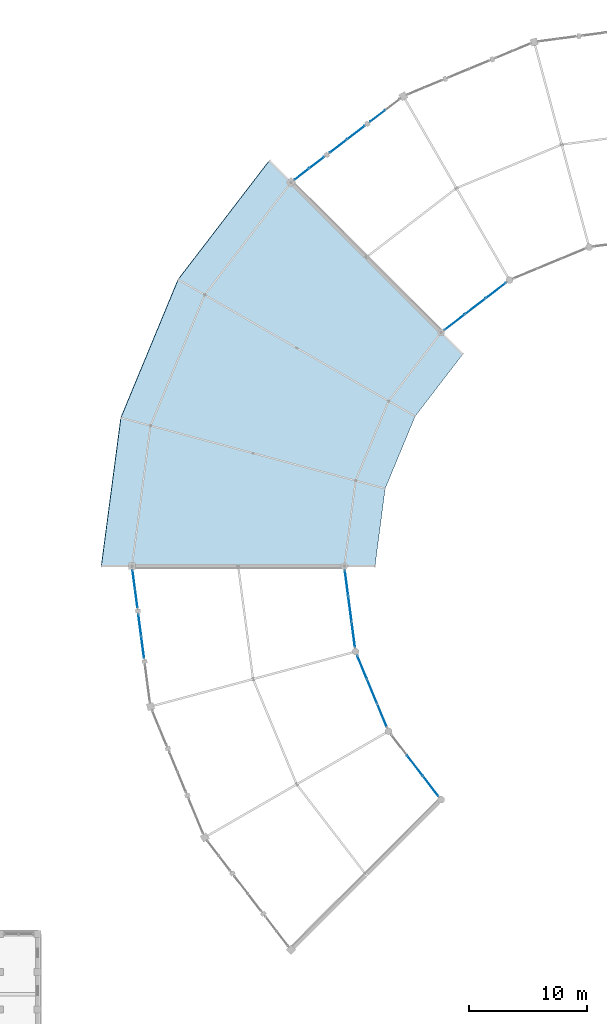
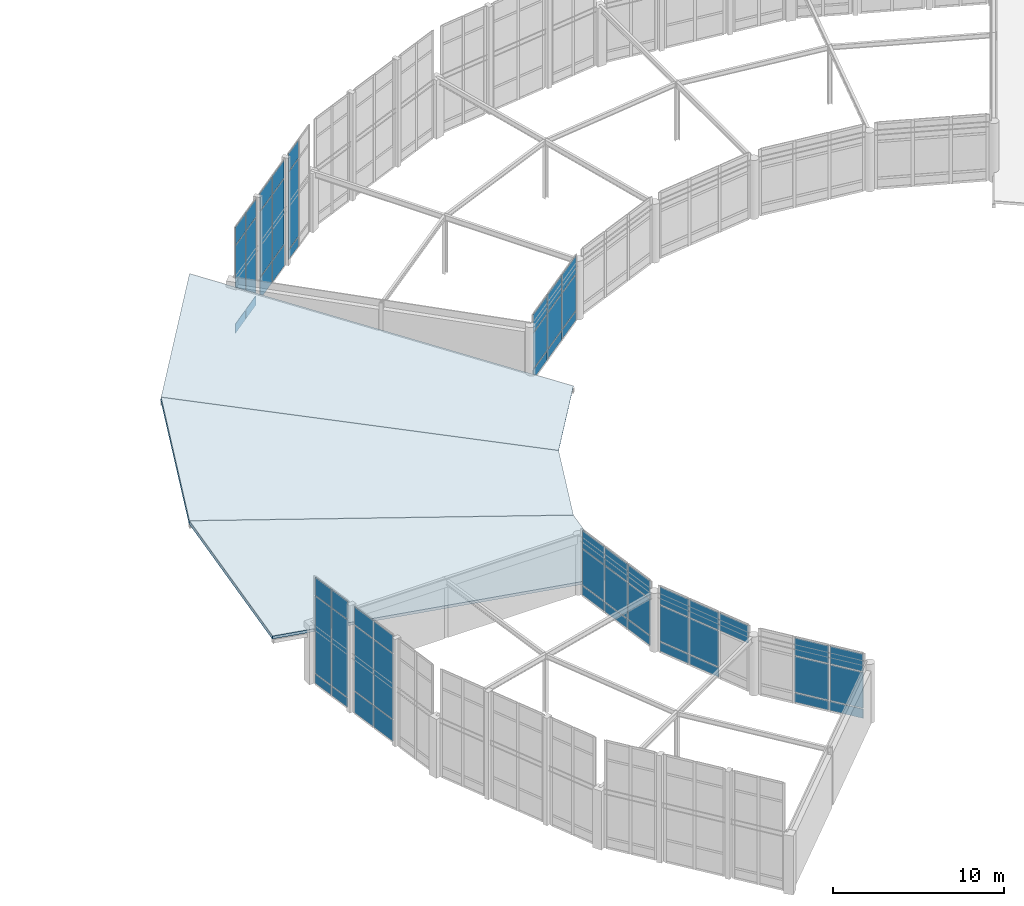
# One storey, part 69 of 93: 58 plates, 3 slabs, 9 elements without a shape of their own.
"""IFC4 building model written with IfcOpenShell, lengths in metres."""

from ifc_helpers import new_model, si_unit, direction, frame, origin, origin_2d, place, context, subcontext, project, spatial, polyline, rectangle, outline, extrude, material, layer, layer_set, type_object, element, aggregate, save


model = new_model("IFC4")

# Units and contexts
model_context = context("Model", 3, precision=1e-05, world=origin(), true_north=direction((0.0, 1.0)))
body_context = subcontext(model_context, "Body", "Model", "MODEL_VIEW")
ifc_project = project(units=[si_unit("LENGTHUNIT", "METRE"), si_unit("AREAUNIT", "SQUARE_METRE"), si_unit("VOLUMEUNIT", "CUBIC_METRE"), si_unit("PLANEANGLEUNIT", "RADIAN"), si_unit("MASSUNIT", "GRAM", prefix="KILO")], contexts=[model_context])

# Site, building, storey
site_placement = place(None, origin())
site = spatial("IfcSite", under=ifc_project, at=site_placement, CompositionType="ELEMENT")
building_placement = place(site_placement, origin())
building = spatial("IfcBuilding", under=site, at=building_placement, Name="Vondelvale Polytechnic", CompositionType="ELEMENT")
storey_placement = place(building_placement, frame((0.0, 0.0, 18.0)))
storey = spatial("IfcBuildingStorey", under=building, at=storey_placement, Name="L04", CompositionType="ELEMENT", Elevation=18.0)

# Curtain wall, plates
ifc_material_1 = material(Name="Anodised extruded aluminium 6063-T6", Category="aluminium")
curtain_wall_type_1 = type_object("IfcCurtainWallType", Name="CW-RING-CLOISTER", PredefinedType="NOTDEFINED", material=ifc_material_1)
curtain_wall_1_placement = place(storey_placement, origin())
curtain_wall_1 = element("IfcCurtainWall", 1, at=curtain_wall_1_placement, inside=storey, type_object=curtain_wall_type_1, Name="L04 architectural curtain wall CW-03-206", PredefinedType="NOTDEFINED")
ifc_material_2 = material(Name="Double-glazed low-E insulated architectural glass", Category="glass")
ifc_layer_1 = layer(ifc_material_2, 0.028076171875)
ifc_layer_set_1 = layer_set([ifc_layer_1], Name="CW-PANEL-GLAZED")
plate_type_1 = type_object("IfcPlateType", Name="CW-PANEL-GLAZED", PredefinedType="CURTAIN_PANEL", material=ifc_layer_set_1)
plate_1_placement = place(storey_placement, frame((86.845703125, 95.363037109375, 0.78271484375), z_axis=(0.0, 0.0, 1.0), x_axis=(-0.793363861089, -0.608747717793, 0.0)))
plate_1 = element("IfcPlate", 2, at=plate_1_placement, type_object=plate_type_1, Name="CW-03-206 panel 1.2", PredefinedType="CURTAIN_PANEL", context=body_context, shape_type="SweptSolid", body=[
    extrude(rectangle(XDim=2.1123046875, YDim=0.028076171875, at=origin_2d()), origin(), (0.0, 0.0, 1.0), 2.548095703125),
])
plate_2_placement = place(storey_placement, frame((86.845703125, 95.363037109375, 3.395751953125), z_axis=(0.0, 0.0, 1.0), x_axis=(-0.793363861089, -0.608747717793, 0.0)))
plate_2 = element("IfcPlate", 3, at=plate_2_placement, type_object=plate_type_1, Name="CW-03-206 panel 1.3", PredefinedType="CURTAIN_PANEL", context=body_context, shape_type="SweptSolid", body=[
    extrude(rectangle(XDim=2.1123046875, YDim=0.028076171875, at=origin_2d()), origin(), (0.0, 0.0, 1.0), 1.25244140625),
])
plate_3_placement = place(storey_placement, frame((85.1005859375, 94.02392578125, 0.78271484375), z_axis=(0.0, 0.0, 1.0), x_axis=(-0.793363861089, -0.608747717793, 0.0)))
plate_3 = element("IfcPlate", 4, at=plate_3_placement, type_object=plate_type_1, Name="CW-03-206 panel 2.2", PredefinedType="CURTAIN_PANEL", context=body_context, shape_type="SweptSolid", body=[
    extrude(rectangle(XDim=2.1474609375, YDim=0.028076171875, at=origin_2d()), origin(), (0.0, 0.0, 1.0), 2.548095703125),
])
plate_4_placement = place(storey_placement, frame((85.1005859375, 94.02392578125, 3.395751953125), z_axis=(0.0, 0.0, 1.0), x_axis=(-0.793363861089, -0.608747717793, 0.0)))
plate_4 = element("IfcPlate", 5, at=plate_4_placement, type_object=plate_type_1, Name="CW-03-206 panel 2.3", PredefinedType="CURTAIN_PANEL", context=body_context, shape_type="SweptSolid", body=[
    extrude(rectangle(XDim=2.1474609375, YDim=0.028076171875, at=origin_2d()), origin(), (0.0, 0.0, 1.0), 1.25244140625),
])
plate_5_placement = place(storey_placement, frame((83.355224609375, 92.6845703125, 0.78271484375), z_axis=(0.0, 0.0, 1.0), x_axis=(-0.793363861089, -0.608747717793, 0.0)))
plate_5 = element("IfcPlate", 6, at=plate_5_placement, type_object=plate_type_1, Name="CW-03-206 panel 3.2", PredefinedType="CURTAIN_PANEL", context=body_context, shape_type="SweptSolid", body=[
    extrude(rectangle(XDim=2.1123046875, YDim=0.028076171875, at=origin_2d()), origin(), (0.0, 0.0, 1.0), 2.548095703125),
])
plate_6_placement = place(storey_placement, frame((83.355224609375, 92.6845703125, 3.395751953125), z_axis=(0.0, 0.0, 1.0), x_axis=(-0.793363861089, -0.608747717793, 0.0)))
plate_6 = element("IfcPlate", 7, at=plate_6_placement, type_object=plate_type_1, Name="CW-03-206 panel 3.3", PredefinedType="CURTAIN_PANEL", context=body_context, shape_type="SweptSolid", body=[
    extrude(rectangle(XDim=2.1123046875, YDim=0.028076171875, at=origin_2d()), origin(), (0.0, 0.0, 1.0), 1.25244140625),
])

ifc_material_3 = material(Name="Glulam GL18 structural Tasmanian oak (fb = 42 MPa)", Category="wood")
curtain_wall_type_2 = type_object("IfcCurtainWallType", Name="CW-RING-OUTER", PredefinedType="NOTDEFINED", material=ifc_material_3)
curtain_wall_2_placement = place(storey_placement, origin())
curtain_wall_2 = element("IfcCurtainWall", 8, at=curtain_wall_2_placement, inside=storey, type_object=curtain_wall_type_2, Name="L04 architectural curtain wall CW-04-207", PredefinedType="NOTDEFINED")
plate_7_placement = place(storey_placement, frame((76.812255859375, 110.158447265625, 0.780029296875), z_axis=(0.0, 0.0, 1.0), x_axis=(-0.793333825656, -0.608786860133, 0.0)))
plate_7 = element("IfcPlate", 9, at=plate_7_placement, type_object=plate_type_1, Name="CW-04-207 panel 2.2", PredefinedType="CURTAIN_PANEL", context=body_context, shape_type="SweptSolid", body=[
    extrude(rectangle(XDim=1.530029296875, YDim=0.028076171875, at=origin_2d()), origin(), (0.0, 0.0, 1.0), 5.50146484375),
])
plate_8_placement = place(storey_placement, frame((76.812255859375, 110.158447265625, 6.34130859375), z_axis=(0.0, 0.0, 1.0), x_axis=(-0.793333825656, -0.608786860133, 0.0)))
plate_8 = element("IfcPlate", 10, at=plate_8_placement, type_object=plate_type_1, Name="CW-04-207 panel 2.3", PredefinedType="CURTAIN_PANEL", context=body_context, shape_type="SweptSolid", body=[
    extrude(rectangle(XDim=1.530029296875, YDim=0.028076171875, at=origin_2d()), origin(), (0.0, 0.0, 1.0), 1.260009765625),
])

curtain_wall_3_placement = place(storey_placement, origin())
curtain_wall_3 = element("IfcCurtainWall", 11, at=curtain_wall_3_placement, inside=storey, type_object=curtain_wall_type_2, Name="L04 architectural curtain wall CW-04-208", PredefinedType="NOTDEFINED")
plate_9_placement = place(storey_placement, frame((74.97998046875, 108.75244140625, 1.630126953125), z_axis=(0.0, 0.0, 1.0), x_axis=(-0.793345851043, -0.608771189063, 0.0)))
plate_9 = element("IfcPlate", 12, at=plate_9_placement, type_object=plate_type_1, Name="CW-04-208 panel 1.2", PredefinedType="CURTAIN_PANEL", context=body_context, shape_type="SweptSolid", body=[
    extrude(rectangle(XDim=1.80908203125, YDim=0.028076171875, at=origin_2d()), origin(), (0.0, 0.0, 1.0), 4.6513671875),
])
plate_10_placement = place(storey_placement, frame((74.97998046875, 108.75244140625, 6.34130859375), z_axis=(0.0, 0.0, 1.0), x_axis=(-0.793345851043, -0.608771189063, 0.0)))
plate_10 = element("IfcPlate", 13, at=plate_10_placement, type_object=plate_type_1, Name="CW-04-208 panel 1.3", PredefinedType="CURTAIN_PANEL", context=body_context, shape_type="SweptSolid", body=[
    extrude(rectangle(XDim=1.80908203125, YDim=0.028076171875, at=origin_2d()), origin(), (0.0, 0.0, 1.0), 1.260009765625),
])
plate_11_placement = place(storey_placement, frame((73.4931640625, 107.611572265625, 1.630126953125), z_axis=(0.0, 0.0, 1.0), x_axis=(-0.793345851043, -0.608771189063, 0.0)))
plate_11 = element("IfcPlate", 14, at=plate_11_placement, type_object=plate_type_1, Name="CW-04-208 panel 2.2", PredefinedType="CURTAIN_PANEL", context=body_context, shape_type="SweptSolid", body=[
    extrude(rectangle(XDim=1.80908203125, YDim=0.028076171875, at=origin_2d()), origin(), (0.0, 0.0, 1.0), 4.6513671875),
])
plate_12_placement = place(storey_placement, frame((73.4931640625, 107.611572265625, 6.34130859375), z_axis=(0.0, 0.0, 1.0), x_axis=(-0.793345851043, -0.608771189063, 0.0)))
plate_12 = element("IfcPlate", 15, at=plate_12_placement, type_object=plate_type_1, Name="CW-04-208 panel 2.3", PredefinedType="CURTAIN_PANEL", context=body_context, shape_type="SweptSolid", body=[
    extrude(rectangle(XDim=1.80908203125, YDim=0.028076171875, at=origin_2d()), origin(), (0.0, 0.0, 1.0), 1.260009765625),
])

curtain_wall_4_placement = place(storey_placement, origin())
curtain_wall_4 = element("IfcCurtainWall", 16, at=curtain_wall_4_placement, inside=storey, type_object=curtain_wall_type_2, Name="L04 architectural curtain wall CW-04-209", PredefinedType="NOTDEFINED")
plate_13_placement = place(storey_placement, frame((71.660888671875, 106.205810546875, 0.780029296875), z_axis=(0.0, 0.0, 1.0), x_axis=(-0.793333825656, -0.608786860133, 0.0)))
plate_13 = element("IfcPlate", 17, at=plate_13_placement, type_object=plate_type_1, Name="CW-04-209 panel 1.2", PredefinedType="CURTAIN_PANEL", context=body_context, shape_type="SweptSolid", body=[
    extrude(rectangle(XDim=1.530029296875, YDim=0.028076171875, at=origin_2d()), origin(), (0.0, 0.0, 1.0), 5.50146484375),
])
plate_14_placement = place(storey_placement, frame((71.660888671875, 106.205810546875, 6.34130859375), z_axis=(0.0, 0.0, 1.0), x_axis=(-0.793333825656, -0.608786860133, 0.0)))
plate_14 = element("IfcPlate", 18, at=plate_14_placement, type_object=plate_type_1, Name="CW-04-209 panel 1.3", PredefinedType="CURTAIN_PANEL", context=body_context, shape_type="SweptSolid", body=[
    extrude(rectangle(XDim=1.530029296875, YDim=0.028076171875, at=origin_2d()), origin(), (0.0, 0.0, 1.0), 1.260009765625),
])
plate_15_placement = place(storey_placement, frame((70.3955078125, 105.234619140625, 0.780029296875), z_axis=(0.0, 0.0, 1.0), x_axis=(-0.793333825656, -0.608786860133, 0.0)))
plate_15 = element("IfcPlate", 19, at=plate_15_placement, type_object=plate_type_1, Name="CW-04-209 panel 2.2", PredefinedType="CURTAIN_PANEL", context=body_context, shape_type="SweptSolid", body=[
    extrude(rectangle(XDim=1.530029296875, YDim=0.028076171875, at=origin_2d()), origin(), (0.0, 0.0, 1.0), 5.50146484375),
])
plate_16_placement = place(storey_placement, frame((70.3955078125, 105.234619140625, 6.34130859375), z_axis=(0.0, 0.0, 1.0), x_axis=(-0.793333825656, -0.608786860133, 0.0)))
plate_16 = element("IfcPlate", 20, at=plate_16_placement, type_object=plate_type_1, Name="CW-04-209 panel 2.3", PredefinedType="CURTAIN_PANEL", context=body_context, shape_type="SweptSolid", body=[
    extrude(rectangle(XDim=1.530029296875, YDim=0.028076171875, at=origin_2d()), origin(), (0.0, 0.0, 1.0), 1.260009765625),
])

curtain_wall_5_placement = place(storey_placement, origin())
curtain_wall_5 = element("IfcCurtainWall", 21, at=curtain_wall_5_placement, inside=storey, type_object=curtain_wall_type_1, Name="L04 architectural curtain wall CW-03-271", PredefinedType="NOTDEFINED")
plate_17_placement = place(storey_placement, frame((74.18994140625, 70.5576171875, 0.78271484375), z_axis=(0.0, 0.0, 1.0), x_axis=(0.130528007165, -0.99144462243, 0.0)))
plate_17 = element("IfcPlate", 22, at=plate_17_placement, type_object=plate_type_1, Name="CW-03-271 panel 1.2", PredefinedType="CURTAIN_PANEL", context=body_context, shape_type="SweptSolid", body=[
    extrude(rectangle(XDim=2.1123046875, YDim=0.028076171875, at=origin_2d()), origin(), (0.0, 0.0, 1.0), 2.548095703125),
])
plate_18_placement = place(storey_placement, frame((74.18994140625, 70.5576171875, 3.395751953125), z_axis=(0.0, 0.0, 1.0), x_axis=(0.130528007165, -0.99144462243, 0.0)))
plate_18 = element("IfcPlate", 23, at=plate_18_placement, type_object=plate_type_1, Name="CW-03-271 panel 1.3", PredefinedType="CURTAIN_PANEL", context=body_context, shape_type="SweptSolid", body=[
    extrude(rectangle(XDim=2.1123046875, YDim=0.028076171875, at=origin_2d()), origin(), (0.0, 0.0, 1.0), 1.25244140625),
])
plate_19_placement = place(storey_placement, frame((74.47705078125, 68.37646484375, 0.78271484375), z_axis=(0.0, 0.0, 1.0), x_axis=(0.130528007165, -0.99144462243, 0.0)))
plate_19 = element("IfcPlate", 24, at=plate_19_placement, type_object=plate_type_1, Name="CW-03-271 panel 2.2", PredefinedType="CURTAIN_PANEL", context=body_context, shape_type="SweptSolid", body=[
    extrude(rectangle(XDim=2.1474609375, YDim=0.028076171875, at=origin_2d()), origin(), (0.0, 0.0, 1.0), 2.548095703125),
])
plate_20_placement = place(storey_placement, frame((74.47705078125, 68.37646484375, 3.395751953125), z_axis=(0.0, 0.0, 1.0), x_axis=(0.130528007165, -0.99144462243, 0.0)))
plate_20 = element("IfcPlate", 25, at=plate_20_placement, type_object=plate_type_1, Name="CW-03-271 panel 2.3", PredefinedType="CURTAIN_PANEL", context=body_context, shape_type="SweptSolid", body=[
    extrude(rectangle(XDim=2.1474609375, YDim=0.028076171875, at=origin_2d()), origin(), (0.0, 0.0, 1.0), 1.25244140625),
])
plate_21_placement = place(storey_placement, frame((74.76416015625, 66.195556640625, 0.78271484375), z_axis=(0.0, 0.0, 1.0), x_axis=(0.130528007165, -0.99144462243, 0.0)))
plate_21 = element("IfcPlate", 26, at=plate_21_placement, type_object=plate_type_1, Name="CW-03-271 panel 3.2", PredefinedType="CURTAIN_PANEL", context=body_context, shape_type="SweptSolid", body=[
    extrude(rectangle(XDim=2.1123046875, YDim=0.028076171875, at=origin_2d()), origin(), (0.0, 0.0, 1.0), 2.548095703125),
])
plate_22_placement = place(storey_placement, frame((74.76416015625, 66.195556640625, 3.395751953125), z_axis=(0.0, 0.0, 1.0), x_axis=(0.130528007165, -0.99144462243, 0.0)))
plate_22 = element("IfcPlate", 27, at=plate_22_placement, type_object=plate_type_1, Name="CW-03-271 panel 3.3", PredefinedType="CURTAIN_PANEL", context=body_context, shape_type="SweptSolid", body=[
    extrude(rectangle(XDim=2.1123046875, YDim=0.028076171875, at=origin_2d()), origin(), (0.0, 0.0, 1.0), 1.25244140625),
])

curtain_wall_6_placement = place(storey_placement, origin())
curtain_wall_6 = element("IfcCurtainWall", 28, at=curtain_wall_6_placement, inside=storey, type_object=curtain_wall_type_2, Name="L04 architectural curtain wall CW-04-272", PredefinedType="NOTDEFINED")
plate_23_placement = place(storey_placement, frame((56.15185546875, 70.84716796875, 0.780029296875), z_axis=(0.0, 0.0, 1.0), x_axis=(0.130539547729, -0.991443102996, 0.0)))
plate_23 = element("IfcPlate", 29, at=plate_23_placement, type_object=plate_type_1, Name="CW-04-272 panel 1.2", PredefinedType="CURTAIN_PANEL", context=body_context, shape_type="SweptSolid", body=[
    extrude(rectangle(XDim=1.530029296875, YDim=0.028076171875, at=origin_2d()), origin(), (0.0, 0.0, 1.0), 5.50146484375),
])
plate_24_placement = place(storey_placement, frame((56.15185546875, 70.84716796875, 6.34130859375), z_axis=(0.0, 0.0, 1.0), x_axis=(0.130539547729, -0.991443102996, 0.0)))
plate_24 = element("IfcPlate", 30, at=plate_24_placement, type_object=plate_type_1, Name="CW-04-272 panel 1.3", PredefinedType="CURTAIN_PANEL", context=body_context, shape_type="SweptSolid", body=[
    extrude(rectangle(XDim=1.530029296875, YDim=0.028076171875, at=origin_2d()), origin(), (0.0, 0.0, 1.0), 1.260009765625),
])
plate_25_placement = place(storey_placement, frame((56.35986328125, 69.265869140625, 0.780029296875), z_axis=(0.0, 0.0, 1.0), x_axis=(0.130539547729, -0.991443102996, 0.0)))
plate_25 = element("IfcPlate", 31, at=plate_25_placement, type_object=plate_type_1, Name="CW-04-272 panel 2.2", PredefinedType="CURTAIN_PANEL", context=body_context, shape_type="SweptSolid", body=[
    extrude(rectangle(XDim=1.530029296875, YDim=0.028076171875, at=origin_2d()), origin(), (0.0, 0.0, 1.0), 5.50146484375),
])
plate_26_placement = place(storey_placement, frame((56.35986328125, 69.265869140625, 6.34130859375), z_axis=(0.0, 0.0, 1.0), x_axis=(0.130539547729, -0.991443102996, 0.0)))
plate_26 = element("IfcPlate", 32, at=plate_26_placement, type_object=plate_type_1, Name="CW-04-272 panel 2.3", PredefinedType="CURTAIN_PANEL", context=body_context, shape_type="SweptSolid", body=[
    extrude(rectangle(XDim=1.530029296875, YDim=0.028076171875, at=origin_2d()), origin(), (0.0, 0.0, 1.0), 1.260009765625),
])

curtain_wall_7_placement = place(storey_placement, origin())
curtain_wall_7 = element("IfcCurtainWall", 33, at=curtain_wall_7_placement, inside=storey, type_object=curtain_wall_type_2, Name="L04 architectural curtain wall CW-04-273", PredefinedType="NOTDEFINED")
plate_27_placement = place(storey_placement, frame((56.661376953125, 66.97607421875, 1.630126953125), z_axis=(0.0, 0.0, 1.0), x_axis=(0.130497251349, -0.991448671082, 0.0)))
plate_27 = element("IfcPlate", 34, at=plate_27_placement, type_object=plate_type_1, Name="CW-04-273 panel 1.2", PredefinedType="CURTAIN_PANEL", context=body_context, shape_type="SweptSolid", body=[
    extrude(rectangle(XDim=1.80908203125, YDim=0.028076171875, at=origin_2d()), origin(), (0.0, 0.0, 1.0), 4.6513671875),
])
plate_28_placement = place(storey_placement, frame((56.661376953125, 66.97607421875, 6.34130859375), z_axis=(0.0, 0.0, 1.0), x_axis=(0.130497251349, -0.991448671082, 0.0)))
plate_28 = element("IfcPlate", 35, at=plate_28_placement, type_object=plate_type_1, Name="CW-04-273 panel 1.3", PredefinedType="CURTAIN_PANEL", context=body_context, shape_type="SweptSolid", body=[
    extrude(rectangle(XDim=1.80908203125, YDim=0.028076171875, at=origin_2d()), origin(), (0.0, 0.0, 1.0), 1.260009765625),
])
plate_29_placement = place(storey_placement, frame((56.906005859375, 65.1181640625, 1.630126953125), z_axis=(0.0, 0.0, 1.0), x_axis=(0.130497251349, -0.991448671082, 0.0)))
plate_29 = element("IfcPlate", 36, at=plate_29_placement, type_object=plate_type_1, Name="CW-04-273 panel 2.2", PredefinedType="CURTAIN_PANEL", context=body_context, shape_type="SweptSolid", body=[
    extrude(rectangle(XDim=1.80908203125, YDim=0.028076171875, at=origin_2d()), origin(), (0.0, 0.0, 1.0), 4.6513671875),
])
plate_30_placement = place(storey_placement, frame((56.906005859375, 65.1181640625, 6.34130859375), z_axis=(0.0, 0.0, 1.0), x_axis=(0.130497251349, -0.991448671082, 0.0)))
plate_30 = element("IfcPlate", 37, at=plate_30_placement, type_object=plate_type_1, Name="CW-04-273 panel 2.3", PredefinedType="CURTAIN_PANEL", context=body_context, shape_type="SweptSolid", body=[
    extrude(rectangle(XDim=1.80908203125, YDim=0.028076171875, at=origin_2d()), origin(), (0.0, 0.0, 1.0), 1.260009765625),
])

curtain_wall_8_placement = place(storey_placement, origin())
curtain_wall_8 = element("IfcCurtainWall", 38, at=curtain_wall_8_placement, inside=storey, type_object=curtain_wall_type_1, Name="L04 architectural curtain wall CW-03-291", PredefinedType="NOTDEFINED")
plate_31_placement = place(storey_placement, frame((75.51123046875, 63.408203125, 0.78271484375), z_axis=(0.0, 0.0, 1.0), x_axis=(0.382678531697, -0.923881562419, 0.0)))
plate_31 = element("IfcPlate", 39, at=plate_31_placement, type_object=plate_type_1, Name="CW-03-291 panel 1.2", PredefinedType="CURTAIN_PANEL", context=body_context, shape_type="SweptSolid", body=[
    extrude(rectangle(XDim=2.111572265625, YDim=0.028076171875, at=origin_2d()), origin(), (0.0, 0.0, 1.0), 2.548095703125),
])
plate_32_placement = place(storey_placement, frame((75.51123046875, 63.408203125, 3.395751953125), z_axis=(0.0, 0.0, 1.0), x_axis=(0.382678531697, -0.923881562419, 0.0)))
plate_32 = element("IfcPlate", 40, at=plate_32_placement, type_object=plate_type_1, Name="CW-03-291 panel 1.3", PredefinedType="CURTAIN_PANEL", context=body_context, shape_type="SweptSolid", body=[
    extrude(rectangle(XDim=2.111572265625, YDim=0.028076171875, at=origin_2d()), origin(), (0.0, 0.0, 1.0), 1.25244140625),
])
plate_33_placement = place(storey_placement, frame((76.352783203125, 61.37646484375, 0.78271484375), z_axis=(0.0, 0.0, 1.0), x_axis=(0.382678531697, -0.923881562419, 0.0)))
plate_33 = element("IfcPlate", 41, at=plate_33_placement, type_object=plate_type_1, Name="CW-03-291 panel 2.2", PredefinedType="CURTAIN_PANEL", context=body_context, shape_type="SweptSolid", body=[
    extrude(rectangle(XDim=2.146484375, YDim=0.028076171875, at=origin_2d()), origin(), (0.0, 0.0, 1.0), 2.548095703125),
])
plate_34_placement = place(storey_placement, frame((76.352783203125, 61.37646484375, 3.395751953125), z_axis=(0.0, 0.0, 1.0), x_axis=(0.382678531697, -0.923881562419, 0.0)))
plate_34 = element("IfcPlate", 42, at=plate_34_placement, type_object=plate_type_1, Name="CW-03-291 panel 2.3", PredefinedType="CURTAIN_PANEL", context=body_context, shape_type="SweptSolid", body=[
    extrude(rectangle(XDim=2.146484375, YDim=0.028076171875, at=origin_2d()), origin(), (0.0, 0.0, 1.0), 1.25244140625),
])
plate_35_placement = place(storey_placement, frame((77.194091796875, 59.344970703125, 3.395751953125), z_axis=(0.0, 0.0, 1.0), x_axis=(0.382678531697, -0.923881562419, 0.0)))
plate_35 = element("IfcPlate", 43, at=plate_35_placement, type_object=plate_type_1, Name="CW-03-291 panel 3.3", PredefinedType="CURTAIN_PANEL", context=body_context, shape_type="SweptSolid", body=[
    extrude(rectangle(XDim=2.111572265625, YDim=0.028076171875, at=origin_2d()), origin(), (0.0, 0.0, 1.0), 1.25244140625),
])

curtain_wall_9_placement = place(storey_placement, origin())
curtain_wall_9 = element("IfcCurtainWall", 44, at=curtain_wall_9_placement, inside=storey, type_object=curtain_wall_type_1, Name="L04 architectural curtain wall CW-03-310", PredefinedType="NOTDEFINED")
plate_36_placement = place(storey_placement, frame((79.97607421875, 55.1005859375, 0.78271484375), z_axis=(0.0, 0.0, 1.0), x_axis=(0.608747717793, -0.793363861089, 0.0)))
plate_36 = element("IfcPlate", 45, at=plate_36_placement, type_object=plate_type_1, Name="CW-03-310 panel 2.2", PredefinedType="CURTAIN_PANEL", context=body_context, shape_type="SweptSolid", body=[
    extrude(rectangle(XDim=2.1474609375, YDim=0.028076171875, at=origin_2d()), origin(), (0.0, 0.0, 1.0), 2.548095703125),
])
plate_37_placement = place(storey_placement, frame((79.97607421875, 55.1005859375, 3.395751953125), z_axis=(0.0, 0.0, 1.0), x_axis=(0.608747717793, -0.793363861089, 0.0)))
plate_37 = element("IfcPlate", 46, at=plate_37_placement, type_object=plate_type_1, Name="CW-03-310 panel 2.3", PredefinedType="CURTAIN_PANEL", context=body_context, shape_type="SweptSolid", body=[
    extrude(rectangle(XDim=2.1474609375, YDim=0.028076171875, at=origin_2d()), origin(), (0.0, 0.0, 1.0), 1.25244140625),
])
plate_38_placement = place(storey_placement, frame((81.3154296875, 53.355224609375, 0.78271484375), z_axis=(0.0, 0.0, 1.0), x_axis=(0.608747717793, -0.793363861089, 0.0)))
plate_38 = element("IfcPlate", 47, at=plate_38_placement, type_object=plate_type_1, Name="CW-03-310 panel 3.2", PredefinedType="CURTAIN_PANEL", context=body_context, shape_type="SweptSolid", body=[
    extrude(rectangle(XDim=2.1123046875, YDim=0.028076171875, at=origin_2d()), origin(), (0.0, 0.0, 1.0), 2.548095703125),
])
plate_39_placement = place(storey_placement, frame((81.3154296875, 53.355224609375, 3.395751953125), z_axis=(0.0, 0.0, 1.0), x_axis=(0.608747717793, -0.793363861089, 0.0)))
plate_39 = element("IfcPlate", 48, at=plate_39_placement, type_object=plate_type_1, Name="CW-03-310 panel 3.3", PredefinedType="CURTAIN_PANEL", context=body_context, shape_type="SweptSolid", body=[
    extrude(rectangle(XDim=2.1123046875, YDim=0.028076171875, at=origin_2d()), origin(), (0.0, 0.0, 1.0), 1.25244140625),
])

# Plate
ifc_material_4 = material(Name="Engineered Tasmanian oak studio and bridge joinery")
ifc_layer_2 = layer(ifc_material_4, 0.0419921875)
ifc_layer_set_2 = layer_set([ifc_layer_2], Name="CW-PANEL-OAK")
plate_type_2 = type_object("IfcPlateType", Name="CW-PANEL-OAK", PredefinedType="CURTAIN_PANEL", material=ifc_layer_set_2)
plate_40_placement = place(storey_placement, frame((86.845703125, 95.363037109375, 0.06494140625), z_axis=(0.0, 0.0, 1.0), x_axis=(-0.793363861089, -0.608747717793, 0.0)))
plate_40 = element("IfcPlate", 49, at=plate_40_placement, type_object=plate_type_2, Name="CW-03-206 panel 1.1", PredefinedType="CURTAIN_PANEL", context=body_context, shape_type="SweptSolid", body=[
    extrude(rectangle(XDim=2.1123046875, YDim=0.0419921875, at=origin_2d()), origin(), (0.0, 0.0, 1.0), 0.652587890625),
])

plate_41_placement = place(storey_placement, frame((85.1005859375, 94.02392578125, 0.06494140625), z_axis=(0.0, 0.0, 1.0), x_axis=(-0.793363861089, -0.608747717793, 0.0)))
plate_41 = element("IfcPlate", 50, at=plate_41_placement, type_object=plate_type_2, Name="CW-03-206 panel 2.1", PredefinedType="CURTAIN_PANEL", context=body_context, shape_type="SweptSolid", body=[
    extrude(rectangle(XDim=2.1474609375, YDim=0.0419921875, at=origin_2d()), origin(), (0.0, 0.0, 1.0), 0.652587890625),
])

plate_42_placement = place(storey_placement, frame((83.355224609375, 92.6845703125, 0.06494140625), z_axis=(0.0, 0.0, 1.0), x_axis=(-0.793363861089, -0.608747717793, 0.0)))
plate_42 = element("IfcPlate", 51, at=plate_42_placement, type_object=plate_type_2, Name="CW-03-206 panel 3.1", PredefinedType="CURTAIN_PANEL", context=body_context, shape_type="SweptSolid", body=[
    extrude(rectangle(XDim=2.1123046875, YDim=0.0419921875, at=origin_2d()), origin(), (0.0, 0.0, 1.0), 0.652587890625),
])

aggregate(curtain_wall_1, [plate_40, plate_1, plate_2, plate_41, plate_3, plate_4, plate_42, plate_5, plate_6])

plate_43_placement = place(storey_placement, frame((74.97998046875, 108.75244140625, 0.06005859375), z_axis=(0.0, 0.0, 1.0), x_axis=(-0.793345851043, -0.608771189063, 0.0)))
plate_43 = element("IfcPlate", 52, at=plate_43_placement, type_object=plate_type_2, Name="CW-04-208 panel 1.1", PredefinedType="CURTAIN_PANEL", context=body_context, shape_type="SweptSolid", body=[
    extrude(rectangle(XDim=1.80908203125, YDim=0.0419921875, at=origin_2d()), origin(), (0.0, 0.0, 1.0), 1.510009765625),
])

plate_44_placement = place(storey_placement, frame((73.4931640625, 107.611572265625, 0.06005859375), z_axis=(0.0, 0.0, 1.0), x_axis=(-0.793345851043, -0.608771189063, 0.0)))
plate_44 = element("IfcPlate", 53, at=plate_44_placement, type_object=plate_type_2, Name="CW-04-208 panel 2.1", PredefinedType="CURTAIN_PANEL", context=body_context, shape_type="SweptSolid", body=[
    extrude(rectangle(XDim=1.80908203125, YDim=0.0419921875, at=origin_2d()), origin(), (0.0, 0.0, 1.0), 1.510009765625),
])

aggregate(curtain_wall_3, [plate_43, plate_9, plate_10, plate_44, plate_11, plate_12])

plate_45_placement = place(storey_placement, frame((74.18994140625, 70.5576171875, 0.06494140625), z_axis=(0.0, 0.0, 1.0), x_axis=(0.130528007165, -0.99144462243, 0.0)))
plate_45 = element("IfcPlate", 54, at=plate_45_placement, type_object=plate_type_2, Name="CW-03-271 panel 1.1", PredefinedType="CURTAIN_PANEL", context=body_context, shape_type="SweptSolid", body=[
    extrude(rectangle(XDim=2.1123046875, YDim=0.0419921875, at=origin_2d()), origin(), (0.0, 0.0, 1.0), 0.652587890625),
])

plate_46_placement = place(storey_placement, frame((74.47705078125, 68.37646484375, 0.06494140625), z_axis=(0.0, 0.0, 1.0), x_axis=(0.130528007165, -0.99144462243, 0.0)))
plate_46 = element("IfcPlate", 55, at=plate_46_placement, type_object=plate_type_2, Name="CW-03-271 panel 2.1", PredefinedType="CURTAIN_PANEL", context=body_context, shape_type="SweptSolid", body=[
    extrude(rectangle(XDim=2.1474609375, YDim=0.0419921875, at=origin_2d()), origin(), (0.0, 0.0, 1.0), 0.652587890625),
])

plate_47_placement = place(storey_placement, frame((74.76416015625, 66.195556640625, 0.06494140625), z_axis=(0.0, 0.0, 1.0), x_axis=(0.130528007165, -0.99144462243, 0.0)))
plate_47 = element("IfcPlate", 56, at=plate_47_placement, type_object=plate_type_2, Name="CW-03-271 panel 3.1", PredefinedType="CURTAIN_PANEL", context=body_context, shape_type="SweptSolid", body=[
    extrude(rectangle(XDim=2.1123046875, YDim=0.0419921875, at=origin_2d()), origin(), (0.0, 0.0, 1.0), 0.652587890625),
])

aggregate(curtain_wall_5, [plate_45, plate_17, plate_18, plate_46, plate_19, plate_20, plate_47, plate_21, plate_22])

plate_48_placement = place(storey_placement, frame((56.661376953125, 66.97607421875, 0.06005859375), z_axis=(0.0, 0.0, 1.0), x_axis=(0.130497251349, -0.991448671082, 0.0)))
plate_48 = element("IfcPlate", 57, at=plate_48_placement, type_object=plate_type_2, Name="CW-04-273 panel 1.1", PredefinedType="CURTAIN_PANEL", context=body_context, shape_type="SweptSolid", body=[
    extrude(rectangle(XDim=1.80908203125, YDim=0.0419921875, at=origin_2d()), origin(), (0.0, 0.0, 1.0), 1.510009765625),
])

plate_49_placement = place(storey_placement, frame((56.906005859375, 65.1181640625, 0.06005859375), z_axis=(0.0, 0.0, 1.0), x_axis=(0.130497251349, -0.991448671082, 0.0)))
plate_49 = element("IfcPlate", 58, at=plate_49_placement, type_object=plate_type_2, Name="CW-04-273 panel 2.1", PredefinedType="CURTAIN_PANEL", context=body_context, shape_type="SweptSolid", body=[
    extrude(rectangle(XDim=1.80908203125, YDim=0.0419921875, at=origin_2d()), origin(), (0.0, 0.0, 1.0), 1.510009765625),
])

aggregate(curtain_wall_7, [plate_48, plate_27, plate_28, plate_49, plate_29, plate_30])

plate_50_placement = place(storey_placement, frame((75.51123046875, 63.408203125, 0.06494140625), z_axis=(0.0, 0.0, 1.0), x_axis=(0.382678531697, -0.923881562419, 0.0)))
plate_50 = element("IfcPlate", 59, at=plate_50_placement, type_object=plate_type_2, Name="CW-03-291 panel 1.1", PredefinedType="CURTAIN_PANEL", context=body_context, shape_type="SweptSolid", body=[
    extrude(rectangle(XDim=2.111572265625, YDim=0.0419921875, at=origin_2d()), origin(), (0.0, 0.0, 1.0), 0.652587890625),
])

plate_51_placement = place(storey_placement, frame((76.352783203125, 61.37646484375, 0.06494140625), z_axis=(0.0, 0.0, 1.0), x_axis=(0.382678531697, -0.923881562419, 0.0)))
plate_51 = element("IfcPlate", 60, at=plate_51_placement, type_object=plate_type_2, Name="CW-03-291 panel 2.1", PredefinedType="CURTAIN_PANEL", context=body_context, shape_type="SweptSolid", body=[
    extrude(rectangle(XDim=2.146484375, YDim=0.0419921875, at=origin_2d()), origin(), (0.0, 0.0, 1.0), 0.652587890625),
])

aggregate(curtain_wall_8, [plate_50, plate_31, plate_32, plate_51, plate_33, plate_34, plate_35])

plate_52_placement = place(storey_placement, frame((79.97607421875, 55.1005859375, 0.06494140625), z_axis=(0.0, 0.0, 1.0), x_axis=(0.608747717793, -0.793363861089, 0.0)))
plate_52 = element("IfcPlate", 61, at=plate_52_placement, type_object=plate_type_2, Name="CW-03-310 panel 2.1", PredefinedType="CURTAIN_PANEL", context=body_context, shape_type="SweptSolid", body=[
    extrude(rectangle(XDim=2.1474609375, YDim=0.0419921875, at=origin_2d()), origin(), (0.0, 0.0, 1.0), 0.652587890625),
])

plate_53_placement = place(storey_placement, frame((81.3154296875, 53.355224609375, 0.06494140625), z_axis=(0.0, 0.0, 1.0), x_axis=(0.608747717793, -0.793363861089, 0.0)))
plate_53 = element("IfcPlate", 62, at=plate_53_placement, type_object=plate_type_2, Name="CW-03-310 panel 3.1", PredefinedType="CURTAIN_PANEL", context=body_context, shape_type="SweptSolid", body=[
    extrude(rectangle(XDim=2.1123046875, YDim=0.0419921875, at=origin_2d()), origin(), (0.0, 0.0, 1.0), 0.652587890625),
])

aggregate(curtain_wall_9, [plate_52, plate_36, plate_37, plate_53, plate_38, plate_39])

ifc_material_5 = material(Name="Kiln-fired architectural terracotta", Category="masonry")
ifc_layer_3 = layer(ifc_material_5, 0.035888671875)
ifc_layer_set_3 = layer_set([ifc_layer_3], Name="CW-PANEL-SPANDREL")
plate_type_3 = type_object("IfcPlateType", Name="CW-PANEL-SPANDREL", PredefinedType="CURTAIN_PANEL", material=ifc_layer_set_3)
plate_54_placement = place(storey_placement, frame((76.812255859375, 110.158447265625, 0.06005859375), z_axis=(0.0, 0.0, 1.0), x_axis=(-0.793333825656, -0.608786860133, 0.0)))
plate_54 = element("IfcPlate", 63, at=plate_54_placement, type_object=plate_type_3, Name="CW-04-207 panel 2.1", PredefinedType="CURTAIN_PANEL", context=body_context, shape_type="SweptSolid", body=[
    extrude(rectangle(XDim=1.530029296875, YDim=0.035888671875, at=origin_2d()), origin(), (0.0, 0.0, 1.0), 0.659912109375),
])

aggregate(curtain_wall_2, [plate_54, plate_7, plate_8])

plate_55_placement = place(storey_placement, frame((71.660888671875, 106.205810546875, 0.06005859375), z_axis=(0.0, 0.0, 1.0), x_axis=(-0.793333825656, -0.608786860133, 0.0)))
plate_55 = element("IfcPlate", 64, at=plate_55_placement, type_object=plate_type_3, Name="CW-04-209 panel 1.1", PredefinedType="CURTAIN_PANEL", context=body_context, shape_type="SweptSolid", body=[
    extrude(rectangle(XDim=1.530029296875, YDim=0.035888671875, at=origin_2d()), origin(), (0.0, 0.0, 1.0), 0.659912109375),
])

plate_56_placement = place(storey_placement, frame((70.3955078125, 105.234619140625, 0.06005859375), z_axis=(0.0, 0.0, 1.0), x_axis=(-0.793333825656, -0.608786860133, 0.0)))
plate_56 = element("IfcPlate", 65, at=plate_56_placement, type_object=plate_type_3, Name="CW-04-209 panel 2.1", PredefinedType="CURTAIN_PANEL", context=body_context, shape_type="SweptSolid", body=[
    extrude(rectangle(XDim=1.530029296875, YDim=0.035888671875, at=origin_2d()), origin(), (0.0, 0.0, 1.0), 0.659912109375),
])

aggregate(curtain_wall_4, [plate_55, plate_13, plate_14, plate_56, plate_15, plate_16])

plate_57_placement = place(storey_placement, frame((56.15185546875, 70.84716796875, 0.06005859375), z_axis=(0.0, 0.0, 1.0), x_axis=(0.130539547729, -0.991443102996, 0.0)))
plate_57 = element("IfcPlate", 66, at=plate_57_placement, type_object=plate_type_3, Name="CW-04-272 panel 1.1", PredefinedType="CURTAIN_PANEL", context=body_context, shape_type="SweptSolid", body=[
    extrude(rectangle(XDim=1.530029296875, YDim=0.035888671875, at=origin_2d()), origin(), (0.0, 0.0, 1.0), 0.659912109375),
])

plate_58_placement = place(storey_placement, frame((56.35986328125, 69.265869140625, 0.06005859375), z_axis=(0.0, 0.0, 1.0), x_axis=(0.130539547729, -0.991443102996, 0.0)))
plate_58 = element("IfcPlate", 67, at=plate_58_placement, type_object=plate_type_3, Name="CW-04-272 panel 2.1", PredefinedType="CURTAIN_PANEL", context=body_context, shape_type="SweptSolid", body=[
    extrude(rectangle(XDim=1.530029296875, YDim=0.035888671875, at=origin_2d()), origin(), (0.0, 0.0, 1.0), 0.659912109375),
])

aggregate(curtain_wall_6, [plate_57, plate_23, plate_24, plate_58, plate_25, plate_26])

# Slabs
ifc_material_6 = material(Name="Concrete N40 (f'c = 40 MPa)", Category="concrete")
ifc_layer_4 = layer(ifc_material_6, 0.199951171875)
ifc_layer_set_4 = layer_set([ifc_layer_4], Name="SLB-ROOF-200")
slab_type = type_object("IfcSlabType", Name="SLB-ROOF-200", PredefinedType="ROOF", material=ifc_layer_set_4)
slab_1_placement = place(storey_placement, frame((84.03955078125, 89.96044921875, 0.300048828125), z_axis=(0.129315091006, -0.09922705884, 0.986626372054), x_axis=(-0.697808137853, 0.697808153562, 0.161640290672)))
element("IfcSlab", 68, at=slab_1_placement, inside=storey, type_object=slab_type, Name="Ring inward-sloping dark roof slab sector 09", PredefinedType="ROOF", context=body_context, shape_type="SweptSolid", body=[
    extrude(outline(polyline([(0.0, 0.0), (23.50936714500494, -1.124100812432971e-15), (21.875071706991683, 12.581442118930237), (-0.8540313802620734, 6.575544080687173), (0.0, 0.0)])), origin(), (0.0, 0.0, -1.0), 0.199951171875),
])
slab_2_placement = place(storey_placement, frame((80.0029296875, 84.699951171875, 0.300048828125), z_axis=(0.150590999507, -0.062376311028, 0.986626346035), x_axis=(-0.854635232916, 0.493427837562, 0.161640303693)))
element("IfcSlab", 69, at=slab_2_placement, inside=storey, type_object=slab_type, Name="Ring inward-sloping dark roof slab sector 10", PredefinedType="ROOF", context=body_context, shape_type="SweptSolid", body=[
    extrude(outline(polyline([(0.0, 0.0), (23.50920965061897, 1.4988010832439613e-15), (21.874973070490455, 12.58151533349702), (-0.854215655375723, 6.575413851727523), (0.0, 0.0)])), origin(), (0.0, 0.0, -1.0), 0.199951171875),
])
slab_3_placement = place(storey_placement, frame((77.465576171875, 78.573974609375, 0.300048828125), z_axis=(0.161603329064, -0.021275467916, 0.986626433104), x_axis=(-0.953223858358, 0.255414977461, 0.161639924354)))
element("IfcSlab", 70, at=slab_3_placement, inside=storey, type_object=slab_type, Name="Ring inward-sloping dark roof slab sector 11", PredefinedType="ROOF", context=body_context, shape_type="SweptSolid", body=[
    extrude(outline(polyline([(0.0, 0.0), (23.50934442185768, 1.0408340855860843e-15), (21.875122488874485, 12.581462004047061), (-0.8540968066921539, 6.575463015675313), (0.0, 0.0)])), origin(), (0.0, 0.0, -1.0), 0.199951171875),
])

save(model, "model.ifc")
